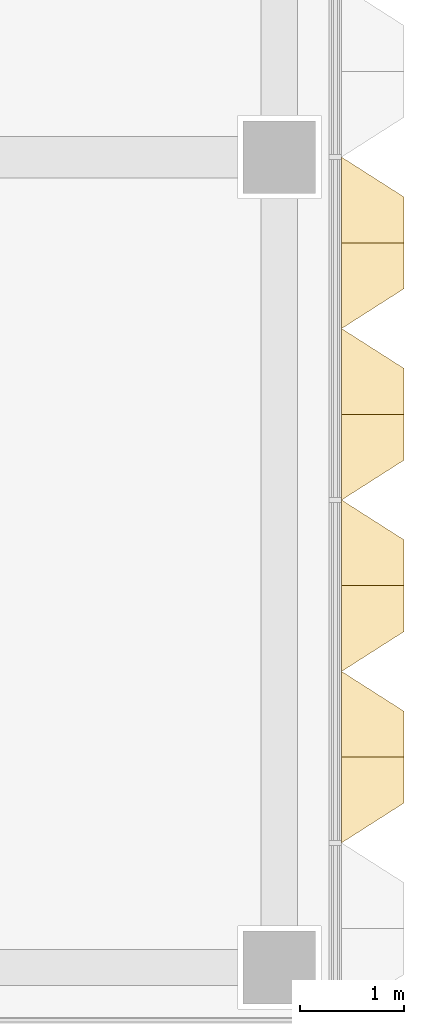
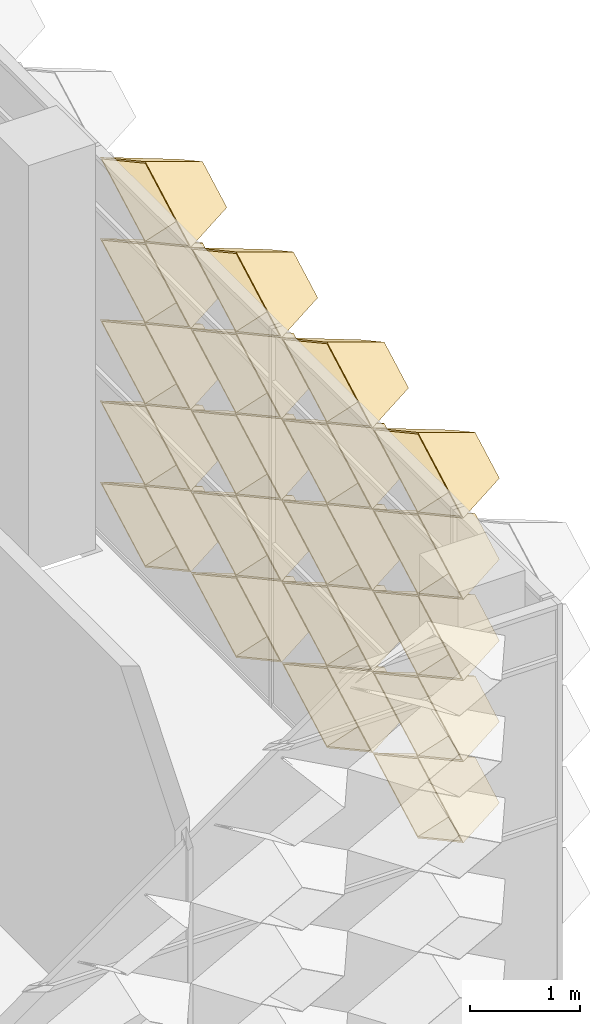
# One storey, part 18 of 29: 20 coverings.
"""IFC4 building model written with IfcOpenShell, lengths in metres."""

from ifc_helpers import new_model, entity, si_unit, direction, frame, origin, place, context, subcontext, project, spatial, material, layer, layer_set, type_object, element, save


model = new_model("IFC4")

# Units and contexts
model_context = context("Model", 3, precision=1e-05, world=origin(), true_north=direction((0.0, 1.0)))
body_context = subcontext(model_context, "Body", "Model", "MODEL_VIEW")
ifc_project = project(units=[si_unit("LENGTHUNIT", "METRE"), si_unit("AREAUNIT", "SQUARE_METRE"), si_unit("VOLUMEUNIT", "CUBIC_METRE"), si_unit("PLANEANGLEUNIT", "RADIAN"), si_unit("MASSUNIT", "GRAM", prefix="KILO")], contexts=[model_context])

# Site, building, storey
site_placement = place(None, origin())
site = spatial("IfcSite", under=ifc_project, at=site_placement, CompositionType="ELEMENT")
building_placement = place(site_placement, origin())
building = spatial("IfcBuilding", under=site, at=building_placement, Name="Lantern Court Research Institute", CompositionType="ELEMENT")
storey_placement = place(building_placement, frame((0.0, 0.0, 32.39990234375)))
storey = spatial("IfcBuildingStorey", under=building, at=storey_placement, Name="L07", CompositionType="ELEMENT", Elevation=32.39990234375)

# Coverings
ifc_material = material(Name="Anodised aluminium", Category="aluminium")
ifc_layer = layer(ifc_material, 0.01611328125)
ifc_layer_set = layer_set([ifc_layer], Name="Anodised aluminium")
covering_type = type_object("IfcCoveringType", Name="Fin cassette 1650 x 900 x 600 aluminium", PredefinedType="CLADDING", material=ifc_layer_set)
covering_1_placement = place(storey_placement, frame((79.800048828125, -5.77490234375, 0.4501953125), z_axis=(1.0, 0.0, 0.0), x_axis=(0.0, 1.0, 0.0)))
cartesian_point_1 = entity("IfcCartesianPoint", [0.824951171875, 0.0])
cartesian_point_2 = entity("IfcCartesianPoint", [0.79150390625, 0.0])
cartesian_point_3 = entity("IfcCartesianPoint", [0.44189453125, 0.0])
cartesian_point_4 = entity("IfcCartesianPoint", [0.43359375, 0.0])
element("IfcCovering", 1, at=covering_1_placement, inside=storey, type_object=covering_type, Name="Fin cassette V5E-L07 1.-3", PredefinedType="CLADDING", context=body_context, shape_type="SweptSolid", body=[
    entity("IfcExtrudedAreaSolidTapered", entity("IfcArbitraryProfileDefWithVoids", "AREA", None, entity("IfcPolyline", [cartesian_point_1, entity("IfcCartesianPoint", [0.0, 0.449951171875]), entity("IfcCartesianPoint", [-0.824951171875, 0.0]), entity("IfcCartesianPoint", [0.0, -0.449951171875]), cartesian_point_1]), [entity("IfcPolyline", [cartesian_point_2, entity("IfcCartesianPoint", [0.0, 0.431884765625]), entity("IfcCartesianPoint", [-0.79150390625, 0.0]), entity("IfcCartesianPoint", [0.0, -0.431884765625]), cartesian_point_2])]), entity("IfcAxis2Placement3D", entity("IfcCartesianPoint", [0.0, 0.0, 0.0])), entity("IfcDirection", [0.0, 0.0, 1.0]), 0.60009765625, entity("IfcArbitraryProfileDefWithVoids", "AREA", None, entity("IfcPolyline", [cartesian_point_3, entity("IfcCartesianPoint", [0.0, 0.240966796875]), entity("IfcCartesianPoint", [-0.44189453125, 0.0]), entity("IfcCartesianPoint", [0.0, -0.240966796875]), cartesian_point_3]), [entity("IfcPolyline", [cartesian_point_4, entity("IfcCartesianPoint", [0.0, 0.236572265625]), entity("IfcCartesianPoint", [-0.43359375, 0.0]), entity("IfcCartesianPoint", [0.0, -0.236572265625]), cartesian_point_4])])),
])
covering_2_placement = place(storey_placement, frame((79.800048828125, -4.125, 0.4501953125), z_axis=(1.0, 0.0, 0.0), x_axis=(0.0, 1.0, 0.0)))
cartesian_point_5 = entity("IfcCartesianPoint", [0.824951171875, 0.0])
cartesian_point_6 = entity("IfcCartesianPoint", [0.79150390625, 0.0])
cartesian_point_7 = entity("IfcCartesianPoint", [0.44189453125, 0.0])
cartesian_point_8 = entity("IfcCartesianPoint", [0.43359375, 0.0])
element("IfcCovering", 2, at=covering_2_placement, inside=storey, type_object=covering_type, Name="Fin cassette V5E-L07 1.-2", PredefinedType="CLADDING", context=body_context, shape_type="SweptSolid", body=[
    entity("IfcExtrudedAreaSolidTapered", entity("IfcArbitraryProfileDefWithVoids", "AREA", None, entity("IfcPolyline", [cartesian_point_5, entity("IfcCartesianPoint", [0.0, 0.449951171875]), entity("IfcCartesianPoint", [-0.824951171875, 0.0]), entity("IfcCartesianPoint", [0.0, -0.449951171875]), cartesian_point_5]), [entity("IfcPolyline", [cartesian_point_6, entity("IfcCartesianPoint", [0.0, 0.431884765625]), entity("IfcCartesianPoint", [-0.79150390625, 0.0]), entity("IfcCartesianPoint", [0.0, -0.431884765625]), cartesian_point_6])]), entity("IfcAxis2Placement3D", entity("IfcCartesianPoint", [0.0, 0.0, 0.0])), entity("IfcDirection", [0.0, 0.0, 1.0]), 0.60009765625, entity("IfcArbitraryProfileDefWithVoids", "AREA", None, entity("IfcPolyline", [cartesian_point_7, entity("IfcCartesianPoint", [0.0, 0.240966796875]), entity("IfcCartesianPoint", [-0.44189453125, 0.0]), entity("IfcCartesianPoint", [0.0, -0.240966796875]), cartesian_point_7]), [entity("IfcPolyline", [cartesian_point_8, entity("IfcCartesianPoint", [0.0, 0.236572265625]), entity("IfcCartesianPoint", [-0.43359375, 0.0]), entity("IfcCartesianPoint", [0.0, -0.236572265625]), cartesian_point_8])])),
])
covering_3_placement = place(storey_placement, frame((79.800048828125, -2.47509765625, 0.4501953125), z_axis=(1.0, 0.0, 0.0), x_axis=(0.0, 1.0, 0.0)))
cartesian_point_9 = entity("IfcCartesianPoint", [0.824951171875, 0.0])
cartesian_point_10 = entity("IfcCartesianPoint", [0.79150390625, 0.0])
cartesian_point_11 = entity("IfcCartesianPoint", [0.44189453125, 0.0])
cartesian_point_12 = entity("IfcCartesianPoint", [0.43359375, 0.0])
element("IfcCovering", 3, at=covering_3_placement, inside=storey, type_object=covering_type, Name="Fin cassette V5E-L07 1.-1", PredefinedType="CLADDING", context=body_context, shape_type="SweptSolid", body=[
    entity("IfcExtrudedAreaSolidTapered", entity("IfcArbitraryProfileDefWithVoids", "AREA", None, entity("IfcPolyline", [cartesian_point_9, entity("IfcCartesianPoint", [0.0, 0.449951171875]), entity("IfcCartesianPoint", [-0.824951171875, 0.0]), entity("IfcCartesianPoint", [0.0, -0.449951171875]), cartesian_point_9]), [entity("IfcPolyline", [cartesian_point_10, entity("IfcCartesianPoint", [0.0, 0.431884765625]), entity("IfcCartesianPoint", [-0.79150390625, 0.0]), entity("IfcCartesianPoint", [0.0, -0.431884765625]), cartesian_point_10])]), entity("IfcAxis2Placement3D", entity("IfcCartesianPoint", [0.0, 0.0, 0.0])), entity("IfcDirection", [0.0, 0.0, 1.0]), 0.60009765625, entity("IfcArbitraryProfileDefWithVoids", "AREA", None, entity("IfcPolyline", [cartesian_point_11, entity("IfcCartesianPoint", [0.0, 0.240966796875]), entity("IfcCartesianPoint", [-0.44189453125, 0.0]), entity("IfcCartesianPoint", [0.0, -0.240966796875]), cartesian_point_11]), [entity("IfcPolyline", [cartesian_point_12, entity("IfcCartesianPoint", [0.0, 0.236572265625]), entity("IfcCartesianPoint", [-0.43359375, 0.0]), entity("IfcCartesianPoint", [0.0, -0.236572265625]), cartesian_point_12])])),
])
covering_4_placement = place(storey_placement, frame((79.800048828125, -0.824951171875, 0.4501953125), z_axis=(1.0, 0.0, 0.0), x_axis=(0.0, 1.0, 0.0)))
cartesian_point_13 = entity("IfcCartesianPoint", [0.824951171875, 0.0])
cartesian_point_14 = entity("IfcCartesianPoint", [0.79150390625, 0.0])
cartesian_point_15 = entity("IfcCartesianPoint", [0.44189453125, 0.0])
cartesian_point_16 = entity("IfcCartesianPoint", [0.43359375, 0.0])
element("IfcCovering", 4, at=covering_4_placement, inside=storey, type_object=covering_type, Name="Fin cassette V5E-L07 1.0", PredefinedType="CLADDING", context=body_context, shape_type="SweptSolid", body=[
    entity("IfcExtrudedAreaSolidTapered", entity("IfcArbitraryProfileDefWithVoids", "AREA", None, entity("IfcPolyline", [cartesian_point_13, entity("IfcCartesianPoint", [0.0, 0.449951171875]), entity("IfcCartesianPoint", [-0.824951171875, 0.0]), entity("IfcCartesianPoint", [0.0, -0.449951171875]), cartesian_point_13]), [entity("IfcPolyline", [cartesian_point_14, entity("IfcCartesianPoint", [0.0, 0.431884765625]), entity("IfcCartesianPoint", [-0.79150390625, 0.0]), entity("IfcCartesianPoint", [0.0, -0.431884765625]), cartesian_point_14])]), entity("IfcAxis2Placement3D", entity("IfcCartesianPoint", [0.0, 0.0, 0.0])), entity("IfcDirection", [0.0, 0.0, 1.0]), 0.60009765625, entity("IfcArbitraryProfileDefWithVoids", "AREA", None, entity("IfcPolyline", [cartesian_point_15, entity("IfcCartesianPoint", [0.0, 0.240966796875]), entity("IfcCartesianPoint", [-0.44189453125, 0.0]), entity("IfcCartesianPoint", [0.0, -0.240966796875]), cartesian_point_15]), [entity("IfcPolyline", [cartesian_point_16, entity("IfcCartesianPoint", [0.0, 0.236572265625]), entity("IfcCartesianPoint", [-0.43359375, 0.0]), entity("IfcCartesianPoint", [0.0, -0.236572265625]), cartesian_point_16])])),
])
covering_5_placement = place(storey_placement, frame((79.800048828125, -5.77490234375, 1.35009765625), z_axis=(1.0, 0.0, 0.0), x_axis=(0.0, 1.0, 0.0)))
cartesian_point_17 = entity("IfcCartesianPoint", [0.824951171875, 0.0])
cartesian_point_18 = entity("IfcCartesianPoint", [0.79150390625, 0.0])
cartesian_point_19 = entity("IfcCartesianPoint", [0.44189453125, 0.0])
cartesian_point_20 = entity("IfcCartesianPoint", [0.43359375, 0.0])
element("IfcCovering", 5, at=covering_5_placement, inside=storey, type_object=covering_type, Name="Fin cassette V5E-L07 2.-3", PredefinedType="CLADDING", context=body_context, shape_type="SweptSolid", body=[
    entity("IfcExtrudedAreaSolidTapered", entity("IfcArbitraryProfileDefWithVoids", "AREA", None, entity("IfcPolyline", [cartesian_point_17, entity("IfcCartesianPoint", [0.0, 0.449951171875]), entity("IfcCartesianPoint", [-0.824951171875, 0.0]), entity("IfcCartesianPoint", [0.0, -0.449951171875]), cartesian_point_17]), [entity("IfcPolyline", [cartesian_point_18, entity("IfcCartesianPoint", [0.0, 0.431884765625]), entity("IfcCartesianPoint", [-0.79150390625, 0.0]), entity("IfcCartesianPoint", [0.0, -0.431884765625]), cartesian_point_18])]), entity("IfcAxis2Placement3D", entity("IfcCartesianPoint", [0.0, 0.0, 0.0])), entity("IfcDirection", [0.0, 0.0, 1.0]), 0.60009765625, entity("IfcArbitraryProfileDefWithVoids", "AREA", None, entity("IfcPolyline", [cartesian_point_19, entity("IfcCartesianPoint", [0.0, 0.240966796875]), entity("IfcCartesianPoint", [-0.44189453125, 0.0]), entity("IfcCartesianPoint", [0.0, -0.240966796875]), cartesian_point_19]), [entity("IfcPolyline", [cartesian_point_20, entity("IfcCartesianPoint", [0.0, 0.236572265625]), entity("IfcCartesianPoint", [-0.43359375, 0.0]), entity("IfcCartesianPoint", [0.0, -0.236572265625]), cartesian_point_20])])),
])
covering_6_placement = place(storey_placement, frame((79.800048828125, -4.125, 1.35009765625), z_axis=(1.0, 0.0, 0.0), x_axis=(0.0, 1.0, 0.0)))
cartesian_point_21 = entity("IfcCartesianPoint", [0.824951171875, 0.0])
cartesian_point_22 = entity("IfcCartesianPoint", [0.79150390625, 0.0])
cartesian_point_23 = entity("IfcCartesianPoint", [0.44189453125, 0.0])
cartesian_point_24 = entity("IfcCartesianPoint", [0.43359375, 0.0])
element("IfcCovering", 6, at=covering_6_placement, inside=storey, type_object=covering_type, Name="Fin cassette V5E-L07 2.-2", PredefinedType="CLADDING", context=body_context, shape_type="SweptSolid", body=[
    entity("IfcExtrudedAreaSolidTapered", entity("IfcArbitraryProfileDefWithVoids", "AREA", None, entity("IfcPolyline", [cartesian_point_21, entity("IfcCartesianPoint", [0.0, 0.449951171875]), entity("IfcCartesianPoint", [-0.824951171875, 0.0]), entity("IfcCartesianPoint", [0.0, -0.449951171875]), cartesian_point_21]), [entity("IfcPolyline", [cartesian_point_22, entity("IfcCartesianPoint", [0.0, 0.431884765625]), entity("IfcCartesianPoint", [-0.79150390625, 0.0]), entity("IfcCartesianPoint", [0.0, -0.431884765625]), cartesian_point_22])]), entity("IfcAxis2Placement3D", entity("IfcCartesianPoint", [0.0, 0.0, 0.0])), entity("IfcDirection", [0.0, 0.0, 1.0]), 0.60009765625, entity("IfcArbitraryProfileDefWithVoids", "AREA", None, entity("IfcPolyline", [cartesian_point_23, entity("IfcCartesianPoint", [0.0, 0.240966796875]), entity("IfcCartesianPoint", [-0.44189453125, 0.0]), entity("IfcCartesianPoint", [0.0, -0.240966796875]), cartesian_point_23]), [entity("IfcPolyline", [cartesian_point_24, entity("IfcCartesianPoint", [0.0, 0.236572265625]), entity("IfcCartesianPoint", [-0.43359375, 0.0]), entity("IfcCartesianPoint", [0.0, -0.236572265625]), cartesian_point_24])])),
])
covering_7_placement = place(storey_placement, frame((79.800048828125, -2.47509765625, 1.35009765625), z_axis=(1.0, 0.0, 0.0), x_axis=(0.0, 1.0, 0.0)))
cartesian_point_25 = entity("IfcCartesianPoint", [0.824951171875, 0.0])
cartesian_point_26 = entity("IfcCartesianPoint", [0.79150390625, 0.0])
cartesian_point_27 = entity("IfcCartesianPoint", [0.44189453125, 0.0])
cartesian_point_28 = entity("IfcCartesianPoint", [0.43359375, 0.0])
element("IfcCovering", 7, at=covering_7_placement, inside=storey, type_object=covering_type, Name="Fin cassette V5E-L07 2.-1", PredefinedType="CLADDING", context=body_context, shape_type="SweptSolid", body=[
    entity("IfcExtrudedAreaSolidTapered", entity("IfcArbitraryProfileDefWithVoids", "AREA", None, entity("IfcPolyline", [cartesian_point_25, entity("IfcCartesianPoint", [0.0, 0.449951171875]), entity("IfcCartesianPoint", [-0.824951171875, 0.0]), entity("IfcCartesianPoint", [0.0, -0.449951171875]), cartesian_point_25]), [entity("IfcPolyline", [cartesian_point_26, entity("IfcCartesianPoint", [0.0, 0.431884765625]), entity("IfcCartesianPoint", [-0.79150390625, 0.0]), entity("IfcCartesianPoint", [0.0, -0.431884765625]), cartesian_point_26])]), entity("IfcAxis2Placement3D", entity("IfcCartesianPoint", [0.0, 0.0, 0.0])), entity("IfcDirection", [0.0, 0.0, 1.0]), 0.60009765625, entity("IfcArbitraryProfileDefWithVoids", "AREA", None, entity("IfcPolyline", [cartesian_point_27, entity("IfcCartesianPoint", [0.0, 0.240966796875]), entity("IfcCartesianPoint", [-0.44189453125, 0.0]), entity("IfcCartesianPoint", [0.0, -0.240966796875]), cartesian_point_27]), [entity("IfcPolyline", [cartesian_point_28, entity("IfcCartesianPoint", [0.0, 0.236572265625]), entity("IfcCartesianPoint", [-0.43359375, 0.0]), entity("IfcCartesianPoint", [0.0, -0.236572265625]), cartesian_point_28])])),
])
covering_8_placement = place(storey_placement, frame((79.800048828125, -0.824951171875, 1.35009765625), z_axis=(1.0, 0.0, 0.0), x_axis=(0.0, 1.0, 0.0)))
cartesian_point_29 = entity("IfcCartesianPoint", [0.824951171875, 0.0])
cartesian_point_30 = entity("IfcCartesianPoint", [0.79150390625, 0.0])
cartesian_point_31 = entity("IfcCartesianPoint", [0.44189453125, 0.0])
cartesian_point_32 = entity("IfcCartesianPoint", [0.43359375, 0.0])
element("IfcCovering", 8, at=covering_8_placement, inside=storey, type_object=covering_type, Name="Fin cassette V5E-L07 2.0", PredefinedType="CLADDING", context=body_context, shape_type="SweptSolid", body=[
    entity("IfcExtrudedAreaSolidTapered", entity("IfcArbitraryProfileDefWithVoids", "AREA", None, entity("IfcPolyline", [cartesian_point_29, entity("IfcCartesianPoint", [0.0, 0.449951171875]), entity("IfcCartesianPoint", [-0.824951171875, 0.0]), entity("IfcCartesianPoint", [0.0, -0.449951171875]), cartesian_point_29]), [entity("IfcPolyline", [cartesian_point_30, entity("IfcCartesianPoint", [0.0, 0.431884765625]), entity("IfcCartesianPoint", [-0.79150390625, 0.0]), entity("IfcCartesianPoint", [0.0, -0.431884765625]), cartesian_point_30])]), entity("IfcAxis2Placement3D", entity("IfcCartesianPoint", [0.0, 0.0, 0.0])), entity("IfcDirection", [0.0, 0.0, 1.0]), 0.60009765625, entity("IfcArbitraryProfileDefWithVoids", "AREA", None, entity("IfcPolyline", [cartesian_point_31, entity("IfcCartesianPoint", [0.0, 0.240966796875]), entity("IfcCartesianPoint", [-0.44189453125, 0.0]), entity("IfcCartesianPoint", [0.0, -0.240966796875]), cartesian_point_31]), [entity("IfcPolyline", [cartesian_point_32, entity("IfcCartesianPoint", [0.0, 0.236572265625]), entity("IfcCartesianPoint", [-0.43359375, 0.0]), entity("IfcCartesianPoint", [0.0, -0.236572265625]), cartesian_point_32])])),
])
covering_9_placement = place(storey_placement, frame((79.800048828125, -5.77490234375, 2.25), z_axis=(1.0, 0.0, 0.0), x_axis=(0.0, 1.0, 0.0)))
cartesian_point_33 = entity("IfcCartesianPoint", [0.824951171875, 0.0])
cartesian_point_34 = entity("IfcCartesianPoint", [0.79150390625, 0.0])
cartesian_point_35 = entity("IfcCartesianPoint", [0.44189453125, 0.0])
cartesian_point_36 = entity("IfcCartesianPoint", [0.43359375, 0.0])
element("IfcCovering", 9, at=covering_9_placement, inside=storey, type_object=covering_type, Name="Fin cassette V5E-L07 3.-3", PredefinedType="CLADDING", context=body_context, shape_type="SweptSolid", body=[
    entity("IfcExtrudedAreaSolidTapered", entity("IfcArbitraryProfileDefWithVoids", "AREA", None, entity("IfcPolyline", [cartesian_point_33, entity("IfcCartesianPoint", [0.0, 0.449951171875]), entity("IfcCartesianPoint", [-0.824951171875, 0.0]), entity("IfcCartesianPoint", [0.0, -0.449951171875]), cartesian_point_33]), [entity("IfcPolyline", [cartesian_point_34, entity("IfcCartesianPoint", [0.0, 0.431884765625]), entity("IfcCartesianPoint", [-0.79150390625, 0.0]), entity("IfcCartesianPoint", [0.0, -0.431884765625]), cartesian_point_34])]), entity("IfcAxis2Placement3D", entity("IfcCartesianPoint", [0.0, 0.0, 0.0])), entity("IfcDirection", [0.0, 0.0, 1.0]), 0.60009765625, entity("IfcArbitraryProfileDefWithVoids", "AREA", None, entity("IfcPolyline", [cartesian_point_35, entity("IfcCartesianPoint", [0.0, 0.240966796875]), entity("IfcCartesianPoint", [-0.44189453125, 0.0]), entity("IfcCartesianPoint", [0.0, -0.240966796875]), cartesian_point_35]), [entity("IfcPolyline", [cartesian_point_36, entity("IfcCartesianPoint", [0.0, 0.236572265625]), entity("IfcCartesianPoint", [-0.43359375, 0.0]), entity("IfcCartesianPoint", [0.0, -0.236572265625]), cartesian_point_36])])),
])
covering_10_placement = place(storey_placement, frame((79.800048828125, -4.125, 2.25), z_axis=(1.0, 0.0, 0.0), x_axis=(0.0, 1.0, 0.0)))
cartesian_point_37 = entity("IfcCartesianPoint", [0.824951171875, 0.0])
cartesian_point_38 = entity("IfcCartesianPoint", [0.79150390625, 0.0])
cartesian_point_39 = entity("IfcCartesianPoint", [0.44189453125, 0.0])
cartesian_point_40 = entity("IfcCartesianPoint", [0.43359375, 0.0])
element("IfcCovering", 10, at=covering_10_placement, inside=storey, type_object=covering_type, Name="Fin cassette V5E-L07 3.-2", PredefinedType="CLADDING", context=body_context, shape_type="SweptSolid", body=[
    entity("IfcExtrudedAreaSolidTapered", entity("IfcArbitraryProfileDefWithVoids", "AREA", None, entity("IfcPolyline", [cartesian_point_37, entity("IfcCartesianPoint", [0.0, 0.449951171875]), entity("IfcCartesianPoint", [-0.824951171875, 0.0]), entity("IfcCartesianPoint", [0.0, -0.449951171875]), cartesian_point_37]), [entity("IfcPolyline", [cartesian_point_38, entity("IfcCartesianPoint", [0.0, 0.431884765625]), entity("IfcCartesianPoint", [-0.79150390625, 0.0]), entity("IfcCartesianPoint", [0.0, -0.431884765625]), cartesian_point_38])]), entity("IfcAxis2Placement3D", entity("IfcCartesianPoint", [0.0, 0.0, 0.0])), entity("IfcDirection", [0.0, 0.0, 1.0]), 0.60009765625, entity("IfcArbitraryProfileDefWithVoids", "AREA", None, entity("IfcPolyline", [cartesian_point_39, entity("IfcCartesianPoint", [0.0, 0.240966796875]), entity("IfcCartesianPoint", [-0.44189453125, 0.0]), entity("IfcCartesianPoint", [0.0, -0.240966796875]), cartesian_point_39]), [entity("IfcPolyline", [cartesian_point_40, entity("IfcCartesianPoint", [0.0, 0.236572265625]), entity("IfcCartesianPoint", [-0.43359375, 0.0]), entity("IfcCartesianPoint", [0.0, -0.236572265625]), cartesian_point_40])])),
])
covering_11_placement = place(storey_placement, frame((79.800048828125, -2.47509765625, 2.25), z_axis=(1.0, 0.0, 0.0), x_axis=(0.0, 1.0, 0.0)))
cartesian_point_41 = entity("IfcCartesianPoint", [0.824951171875, 0.0])
cartesian_point_42 = entity("IfcCartesianPoint", [0.79150390625, 0.0])
cartesian_point_43 = entity("IfcCartesianPoint", [0.44189453125, 0.0])
cartesian_point_44 = entity("IfcCartesianPoint", [0.43359375, 0.0])
element("IfcCovering", 11, at=covering_11_placement, inside=storey, type_object=covering_type, Name="Fin cassette V5E-L07 3.-1", PredefinedType="CLADDING", context=body_context, shape_type="SweptSolid", body=[
    entity("IfcExtrudedAreaSolidTapered", entity("IfcArbitraryProfileDefWithVoids", "AREA", None, entity("IfcPolyline", [cartesian_point_41, entity("IfcCartesianPoint", [0.0, 0.449951171875]), entity("IfcCartesianPoint", [-0.824951171875, 0.0]), entity("IfcCartesianPoint", [0.0, -0.449951171875]), cartesian_point_41]), [entity("IfcPolyline", [cartesian_point_42, entity("IfcCartesianPoint", [0.0, 0.431884765625]), entity("IfcCartesianPoint", [-0.79150390625, 0.0]), entity("IfcCartesianPoint", [0.0, -0.431884765625]), cartesian_point_42])]), entity("IfcAxis2Placement3D", entity("IfcCartesianPoint", [0.0, 0.0, 0.0])), entity("IfcDirection", [0.0, 0.0, 1.0]), 0.60009765625, entity("IfcArbitraryProfileDefWithVoids", "AREA", None, entity("IfcPolyline", [cartesian_point_43, entity("IfcCartesianPoint", [0.0, 0.240966796875]), entity("IfcCartesianPoint", [-0.44189453125, 0.0]), entity("IfcCartesianPoint", [0.0, -0.240966796875]), cartesian_point_43]), [entity("IfcPolyline", [cartesian_point_44, entity("IfcCartesianPoint", [0.0, 0.236572265625]), entity("IfcCartesianPoint", [-0.43359375, 0.0]), entity("IfcCartesianPoint", [0.0, -0.236572265625]), cartesian_point_44])])),
])
covering_12_placement = place(storey_placement, frame((79.800048828125, -0.824951171875, 2.25), z_axis=(1.0, 0.0, 0.0), x_axis=(0.0, 1.0, 0.0)))
cartesian_point_45 = entity("IfcCartesianPoint", [0.824951171875, 0.0])
cartesian_point_46 = entity("IfcCartesianPoint", [0.79150390625, 0.0])
cartesian_point_47 = entity("IfcCartesianPoint", [0.44189453125, 0.0])
cartesian_point_48 = entity("IfcCartesianPoint", [0.43359375, 0.0])
element("IfcCovering", 12, at=covering_12_placement, inside=storey, type_object=covering_type, Name="Fin cassette V5E-L07 3.0", PredefinedType="CLADDING", context=body_context, shape_type="SweptSolid", body=[
    entity("IfcExtrudedAreaSolidTapered", entity("IfcArbitraryProfileDefWithVoids", "AREA", None, entity("IfcPolyline", [cartesian_point_45, entity("IfcCartesianPoint", [0.0, 0.449951171875]), entity("IfcCartesianPoint", [-0.824951171875, 0.0]), entity("IfcCartesianPoint", [0.0, -0.449951171875]), cartesian_point_45]), [entity("IfcPolyline", [cartesian_point_46, entity("IfcCartesianPoint", [0.0, 0.431884765625]), entity("IfcCartesianPoint", [-0.79150390625, 0.0]), entity("IfcCartesianPoint", [0.0, -0.431884765625]), cartesian_point_46])]), entity("IfcAxis2Placement3D", entity("IfcCartesianPoint", [0.0, 0.0, 0.0])), entity("IfcDirection", [0.0, 0.0, 1.0]), 0.60009765625, entity("IfcArbitraryProfileDefWithVoids", "AREA", None, entity("IfcPolyline", [cartesian_point_47, entity("IfcCartesianPoint", [0.0, 0.240966796875]), entity("IfcCartesianPoint", [-0.44189453125, 0.0]), entity("IfcCartesianPoint", [0.0, -0.240966796875]), cartesian_point_47]), [entity("IfcPolyline", [cartesian_point_48, entity("IfcCartesianPoint", [0.0, 0.236572265625]), entity("IfcCartesianPoint", [-0.43359375, 0.0]), entity("IfcCartesianPoint", [0.0, -0.236572265625]), cartesian_point_48])])),
])
covering_13_placement = place(storey_placement, frame((79.800048828125, -5.77490234375, 3.150146484375), z_axis=(1.0, 0.0, 0.0), x_axis=(0.0, 1.0, 0.0)))
cartesian_point_49 = entity("IfcCartesianPoint", [0.824951171875, 0.0])
cartesian_point_50 = entity("IfcCartesianPoint", [0.79150390625, 0.0])
cartesian_point_51 = entity("IfcCartesianPoint", [0.44189453125, 0.0])
cartesian_point_52 = entity("IfcCartesianPoint", [0.43359375, 0.0])
element("IfcCovering", 13, at=covering_13_placement, inside=storey, type_object=covering_type, Name="Fin cassette V5E-L07 4.-3", PredefinedType="CLADDING", context=body_context, shape_type="SweptSolid", body=[
    entity("IfcExtrudedAreaSolidTapered", entity("IfcArbitraryProfileDefWithVoids", "AREA", None, entity("IfcPolyline", [cartesian_point_49, entity("IfcCartesianPoint", [0.0, 0.449951171875]), entity("IfcCartesianPoint", [-0.824951171875, 0.0]), entity("IfcCartesianPoint", [0.0, -0.449951171875]), cartesian_point_49]), [entity("IfcPolyline", [cartesian_point_50, entity("IfcCartesianPoint", [0.0, 0.431884765625]), entity("IfcCartesianPoint", [-0.79150390625, 0.0]), entity("IfcCartesianPoint", [0.0, -0.431884765625]), cartesian_point_50])]), entity("IfcAxis2Placement3D", entity("IfcCartesianPoint", [0.0, 0.0, 0.0])), entity("IfcDirection", [0.0, 0.0, 1.0]), 0.60009765625, entity("IfcArbitraryProfileDefWithVoids", "AREA", None, entity("IfcPolyline", [cartesian_point_51, entity("IfcCartesianPoint", [0.0, 0.240966796875]), entity("IfcCartesianPoint", [-0.44189453125, 0.0]), entity("IfcCartesianPoint", [0.0, -0.240966796875]), cartesian_point_51]), [entity("IfcPolyline", [cartesian_point_52, entity("IfcCartesianPoint", [0.0, 0.236572265625]), entity("IfcCartesianPoint", [-0.43359375, 0.0]), entity("IfcCartesianPoint", [0.0, -0.236572265625]), cartesian_point_52])])),
])
covering_14_placement = place(storey_placement, frame((79.800048828125, -4.125, 3.150146484375), z_axis=(1.0, 0.0, 0.0), x_axis=(0.0, 1.0, 0.0)))
cartesian_point_53 = entity("IfcCartesianPoint", [0.824951171875, 0.0])
cartesian_point_54 = entity("IfcCartesianPoint", [0.79150390625, 0.0])
cartesian_point_55 = entity("IfcCartesianPoint", [0.44189453125, 0.0])
cartesian_point_56 = entity("IfcCartesianPoint", [0.43359375, 0.0])
element("IfcCovering", 14, at=covering_14_placement, inside=storey, type_object=covering_type, Name="Fin cassette V5E-L07 4.-2", PredefinedType="CLADDING", context=body_context, shape_type="SweptSolid", body=[
    entity("IfcExtrudedAreaSolidTapered", entity("IfcArbitraryProfileDefWithVoids", "AREA", None, entity("IfcPolyline", [cartesian_point_53, entity("IfcCartesianPoint", [0.0, 0.449951171875]), entity("IfcCartesianPoint", [-0.824951171875, 0.0]), entity("IfcCartesianPoint", [0.0, -0.449951171875]), cartesian_point_53]), [entity("IfcPolyline", [cartesian_point_54, entity("IfcCartesianPoint", [0.0, 0.431884765625]), entity("IfcCartesianPoint", [-0.79150390625, 0.0]), entity("IfcCartesianPoint", [0.0, -0.431884765625]), cartesian_point_54])]), entity("IfcAxis2Placement3D", entity("IfcCartesianPoint", [0.0, 0.0, 0.0])), entity("IfcDirection", [0.0, 0.0, 1.0]), 0.60009765625, entity("IfcArbitraryProfileDefWithVoids", "AREA", None, entity("IfcPolyline", [cartesian_point_55, entity("IfcCartesianPoint", [0.0, 0.240966796875]), entity("IfcCartesianPoint", [-0.44189453125, 0.0]), entity("IfcCartesianPoint", [0.0, -0.240966796875]), cartesian_point_55]), [entity("IfcPolyline", [cartesian_point_56, entity("IfcCartesianPoint", [0.0, 0.236572265625]), entity("IfcCartesianPoint", [-0.43359375, 0.0]), entity("IfcCartesianPoint", [0.0, -0.236572265625]), cartesian_point_56])])),
])
covering_15_placement = place(storey_placement, frame((79.800048828125, -2.47509765625, 3.150146484375), z_axis=(1.0, 0.0, 0.0), x_axis=(0.0, 1.0, 0.0)))
cartesian_point_57 = entity("IfcCartesianPoint", [0.824951171875, 0.0])
cartesian_point_58 = entity("IfcCartesianPoint", [0.79150390625, 0.0])
cartesian_point_59 = entity("IfcCartesianPoint", [0.44189453125, 0.0])
cartesian_point_60 = entity("IfcCartesianPoint", [0.43359375, 0.0])
element("IfcCovering", 15, at=covering_15_placement, inside=storey, type_object=covering_type, Name="Fin cassette V5E-L07 4.-1", PredefinedType="CLADDING", context=body_context, shape_type="SweptSolid", body=[
    entity("IfcExtrudedAreaSolidTapered", entity("IfcArbitraryProfileDefWithVoids", "AREA", None, entity("IfcPolyline", [cartesian_point_57, entity("IfcCartesianPoint", [0.0, 0.449951171875]), entity("IfcCartesianPoint", [-0.824951171875, 0.0]), entity("IfcCartesianPoint", [0.0, -0.449951171875]), cartesian_point_57]), [entity("IfcPolyline", [cartesian_point_58, entity("IfcCartesianPoint", [0.0, 0.431884765625]), entity("IfcCartesianPoint", [-0.79150390625, 0.0]), entity("IfcCartesianPoint", [0.0, -0.431884765625]), cartesian_point_58])]), entity("IfcAxis2Placement3D", entity("IfcCartesianPoint", [0.0, 0.0, 0.0])), entity("IfcDirection", [0.0, 0.0, 1.0]), 0.60009765625, entity("IfcArbitraryProfileDefWithVoids", "AREA", None, entity("IfcPolyline", [cartesian_point_59, entity("IfcCartesianPoint", [0.0, 0.240966796875]), entity("IfcCartesianPoint", [-0.44189453125, 0.0]), entity("IfcCartesianPoint", [0.0, -0.240966796875]), cartesian_point_59]), [entity("IfcPolyline", [cartesian_point_60, entity("IfcCartesianPoint", [0.0, 0.236572265625]), entity("IfcCartesianPoint", [-0.43359375, 0.0]), entity("IfcCartesianPoint", [0.0, -0.236572265625]), cartesian_point_60])])),
])
covering_16_placement = place(storey_placement, frame((79.800048828125, -0.824951171875, 3.150146484375), z_axis=(1.0, 0.0, 0.0), x_axis=(0.0, 1.0, 0.0)))
cartesian_point_61 = entity("IfcCartesianPoint", [0.824951171875, 0.0])
cartesian_point_62 = entity("IfcCartesianPoint", [0.79150390625, 0.0])
cartesian_point_63 = entity("IfcCartesianPoint", [0.44189453125, 0.0])
cartesian_point_64 = entity("IfcCartesianPoint", [0.43359375, 0.0])
element("IfcCovering", 16, at=covering_16_placement, inside=storey, type_object=covering_type, Name="Fin cassette V5E-L07 4.0", PredefinedType="CLADDING", context=body_context, shape_type="SweptSolid", body=[
    entity("IfcExtrudedAreaSolidTapered", entity("IfcArbitraryProfileDefWithVoids", "AREA", None, entity("IfcPolyline", [cartesian_point_61, entity("IfcCartesianPoint", [0.0, 0.449951171875]), entity("IfcCartesianPoint", [-0.824951171875, 0.0]), entity("IfcCartesianPoint", [0.0, -0.449951171875]), cartesian_point_61]), [entity("IfcPolyline", [cartesian_point_62, entity("IfcCartesianPoint", [0.0, 0.431884765625]), entity("IfcCartesianPoint", [-0.79150390625, 0.0]), entity("IfcCartesianPoint", [0.0, -0.431884765625]), cartesian_point_62])]), entity("IfcAxis2Placement3D", entity("IfcCartesianPoint", [0.0, 0.0, 0.0])), entity("IfcDirection", [0.0, 0.0, 1.0]), 0.60009765625, entity("IfcArbitraryProfileDefWithVoids", "AREA", None, entity("IfcPolyline", [cartesian_point_63, entity("IfcCartesianPoint", [0.0, 0.240966796875]), entity("IfcCartesianPoint", [-0.44189453125, 0.0]), entity("IfcCartesianPoint", [0.0, -0.240966796875]), cartesian_point_63]), [entity("IfcPolyline", [cartesian_point_64, entity("IfcCartesianPoint", [0.0, 0.236572265625]), entity("IfcCartesianPoint", [-0.43359375, 0.0]), entity("IfcCartesianPoint", [0.0, -0.236572265625]), cartesian_point_64])])),
])
covering_17_placement = place(storey_placement, frame((79.800048828125, -5.77490234375, 4.050048828125), z_axis=(1.0, 0.0, 0.0), x_axis=(0.0, 1.0, 0.0)))
cartesian_point_65 = entity("IfcCartesianPoint", [0.824951171875, 0.0])
cartesian_point_66 = entity("IfcCartesianPoint", [0.79150390625, 0.0])
cartesian_point_67 = entity("IfcCartesianPoint", [0.44189453125, 0.0])
cartesian_point_68 = entity("IfcCartesianPoint", [0.43359375, 0.0])
element("IfcCovering", 17, at=covering_17_placement, inside=storey, type_object=covering_type, Name="Fin cassette V5E-L07 5.-3", PredefinedType="CLADDING", context=body_context, shape_type="SweptSolid", body=[
    entity("IfcExtrudedAreaSolidTapered", entity("IfcArbitraryProfileDefWithVoids", "AREA", None, entity("IfcPolyline", [cartesian_point_65, entity("IfcCartesianPoint", [0.0, 0.449951171875]), entity("IfcCartesianPoint", [-0.824951171875, 0.0]), entity("IfcCartesianPoint", [0.0, -0.449951171875]), cartesian_point_65]), [entity("IfcPolyline", [cartesian_point_66, entity("IfcCartesianPoint", [0.0, 0.431884765625]), entity("IfcCartesianPoint", [-0.79150390625, 0.0]), entity("IfcCartesianPoint", [0.0, -0.431884765625]), cartesian_point_66])]), entity("IfcAxis2Placement3D", entity("IfcCartesianPoint", [0.0, 0.0, 0.0])), entity("IfcDirection", [0.0, 0.0, 1.0]), 0.60009765625, entity("IfcArbitraryProfileDefWithVoids", "AREA", None, entity("IfcPolyline", [cartesian_point_67, entity("IfcCartesianPoint", [0.0, 0.240966796875]), entity("IfcCartesianPoint", [-0.44189453125, 0.0]), entity("IfcCartesianPoint", [0.0, -0.240966796875]), cartesian_point_67]), [entity("IfcPolyline", [cartesian_point_68, entity("IfcCartesianPoint", [0.0, 0.236572265625]), entity("IfcCartesianPoint", [-0.43359375, 0.0]), entity("IfcCartesianPoint", [0.0, -0.236572265625]), cartesian_point_68])])),
])
covering_18_placement = place(storey_placement, frame((79.800048828125, -4.125, 4.050048828125), z_axis=(1.0, 0.0, 0.0), x_axis=(0.0, 1.0, 0.0)))
cartesian_point_69 = entity("IfcCartesianPoint", [0.824951171875, 0.0])
cartesian_point_70 = entity("IfcCartesianPoint", [0.79150390625, 0.0])
cartesian_point_71 = entity("IfcCartesianPoint", [0.44189453125, 0.0])
cartesian_point_72 = entity("IfcCartesianPoint", [0.43359375, 0.0])
element("IfcCovering", 18, at=covering_18_placement, inside=storey, type_object=covering_type, Name="Fin cassette V5E-L07 5.-2", PredefinedType="CLADDING", context=body_context, shape_type="SweptSolid", body=[
    entity("IfcExtrudedAreaSolidTapered", entity("IfcArbitraryProfileDefWithVoids", "AREA", None, entity("IfcPolyline", [cartesian_point_69, entity("IfcCartesianPoint", [0.0, 0.449951171875]), entity("IfcCartesianPoint", [-0.824951171875, 0.0]), entity("IfcCartesianPoint", [0.0, -0.449951171875]), cartesian_point_69]), [entity("IfcPolyline", [cartesian_point_70, entity("IfcCartesianPoint", [0.0, 0.431884765625]), entity("IfcCartesianPoint", [-0.79150390625, 0.0]), entity("IfcCartesianPoint", [0.0, -0.431884765625]), cartesian_point_70])]), entity("IfcAxis2Placement3D", entity("IfcCartesianPoint", [0.0, 0.0, 0.0])), entity("IfcDirection", [0.0, 0.0, 1.0]), 0.60009765625, entity("IfcArbitraryProfileDefWithVoids", "AREA", None, entity("IfcPolyline", [cartesian_point_71, entity("IfcCartesianPoint", [0.0, 0.240966796875]), entity("IfcCartesianPoint", [-0.44189453125, 0.0]), entity("IfcCartesianPoint", [0.0, -0.240966796875]), cartesian_point_71]), [entity("IfcPolyline", [cartesian_point_72, entity("IfcCartesianPoint", [0.0, 0.236572265625]), entity("IfcCartesianPoint", [-0.43359375, 0.0]), entity("IfcCartesianPoint", [0.0, -0.236572265625]), cartesian_point_72])])),
])
covering_19_placement = place(storey_placement, frame((79.800048828125, -2.47509765625, 4.050048828125), z_axis=(1.0, 0.0, 0.0), x_axis=(0.0, 1.0, 0.0)))
cartesian_point_73 = entity("IfcCartesianPoint", [0.824951171875, 0.0])
cartesian_point_74 = entity("IfcCartesianPoint", [0.79150390625, 0.0])
cartesian_point_75 = entity("IfcCartesianPoint", [0.44189453125, 0.0])
cartesian_point_76 = entity("IfcCartesianPoint", [0.43359375, 0.0])
element("IfcCovering", 19, at=covering_19_placement, inside=storey, type_object=covering_type, Name="Fin cassette V5E-L07 5.-1", PredefinedType="CLADDING", context=body_context, shape_type="SweptSolid", body=[
    entity("IfcExtrudedAreaSolidTapered", entity("IfcArbitraryProfileDefWithVoids", "AREA", None, entity("IfcPolyline", [cartesian_point_73, entity("IfcCartesianPoint", [0.0, 0.449951171875]), entity("IfcCartesianPoint", [-0.824951171875, 0.0]), entity("IfcCartesianPoint", [0.0, -0.449951171875]), cartesian_point_73]), [entity("IfcPolyline", [cartesian_point_74, entity("IfcCartesianPoint", [0.0, 0.431884765625]), entity("IfcCartesianPoint", [-0.79150390625, 0.0]), entity("IfcCartesianPoint", [0.0, -0.431884765625]), cartesian_point_74])]), entity("IfcAxis2Placement3D", entity("IfcCartesianPoint", [0.0, 0.0, 0.0])), entity("IfcDirection", [0.0, 0.0, 1.0]), 0.60009765625, entity("IfcArbitraryProfileDefWithVoids", "AREA", None, entity("IfcPolyline", [cartesian_point_75, entity("IfcCartesianPoint", [0.0, 0.240966796875]), entity("IfcCartesianPoint", [-0.44189453125, 0.0]), entity("IfcCartesianPoint", [0.0, -0.240966796875]), cartesian_point_75]), [entity("IfcPolyline", [cartesian_point_76, entity("IfcCartesianPoint", [0.0, 0.236572265625]), entity("IfcCartesianPoint", [-0.43359375, 0.0]), entity("IfcCartesianPoint", [0.0, -0.236572265625]), cartesian_point_76])])),
])
covering_20_placement = place(storey_placement, frame((79.800048828125, -0.824951171875, 4.050048828125), z_axis=(1.0, 0.0, 0.0), x_axis=(0.0, 1.0, 0.0)))
cartesian_point_77 = entity("IfcCartesianPoint", [0.824951171875, 0.0])
cartesian_point_78 = entity("IfcCartesianPoint", [0.79150390625, 0.0])
cartesian_point_79 = entity("IfcCartesianPoint", [0.44189453125, 0.0])
cartesian_point_80 = entity("IfcCartesianPoint", [0.43359375, 0.0])
element("IfcCovering", 20, at=covering_20_placement, inside=storey, type_object=covering_type, Name="Fin cassette V5E-L07 5.0", PredefinedType="CLADDING", context=body_context, shape_type="SweptSolid", body=[
    entity("IfcExtrudedAreaSolidTapered", entity("IfcArbitraryProfileDefWithVoids", "AREA", None, entity("IfcPolyline", [cartesian_point_77, entity("IfcCartesianPoint", [0.0, 0.449951171875]), entity("IfcCartesianPoint", [-0.824951171875, 0.0]), entity("IfcCartesianPoint", [0.0, -0.449951171875]), cartesian_point_77]), [entity("IfcPolyline", [cartesian_point_78, entity("IfcCartesianPoint", [0.0, 0.431884765625]), entity("IfcCartesianPoint", [-0.79150390625, 0.0]), entity("IfcCartesianPoint", [0.0, -0.431884765625]), cartesian_point_78])]), entity("IfcAxis2Placement3D", entity("IfcCartesianPoint", [0.0, 0.0, 0.0])), entity("IfcDirection", [0.0, 0.0, 1.0]), 0.60009765625, entity("IfcArbitraryProfileDefWithVoids", "AREA", None, entity("IfcPolyline", [cartesian_point_79, entity("IfcCartesianPoint", [0.0, 0.240966796875]), entity("IfcCartesianPoint", [-0.44189453125, 0.0]), entity("IfcCartesianPoint", [0.0, -0.240966796875]), cartesian_point_79]), [entity("IfcPolyline", [cartesian_point_80, entity("IfcCartesianPoint", [0.0, 0.236572265625]), entity("IfcCartesianPoint", [-0.43359375, 0.0]), entity("IfcCartesianPoint", [0.0, -0.236572265625]), cartesian_point_80])])),
])

save(model, "model.ifc")
